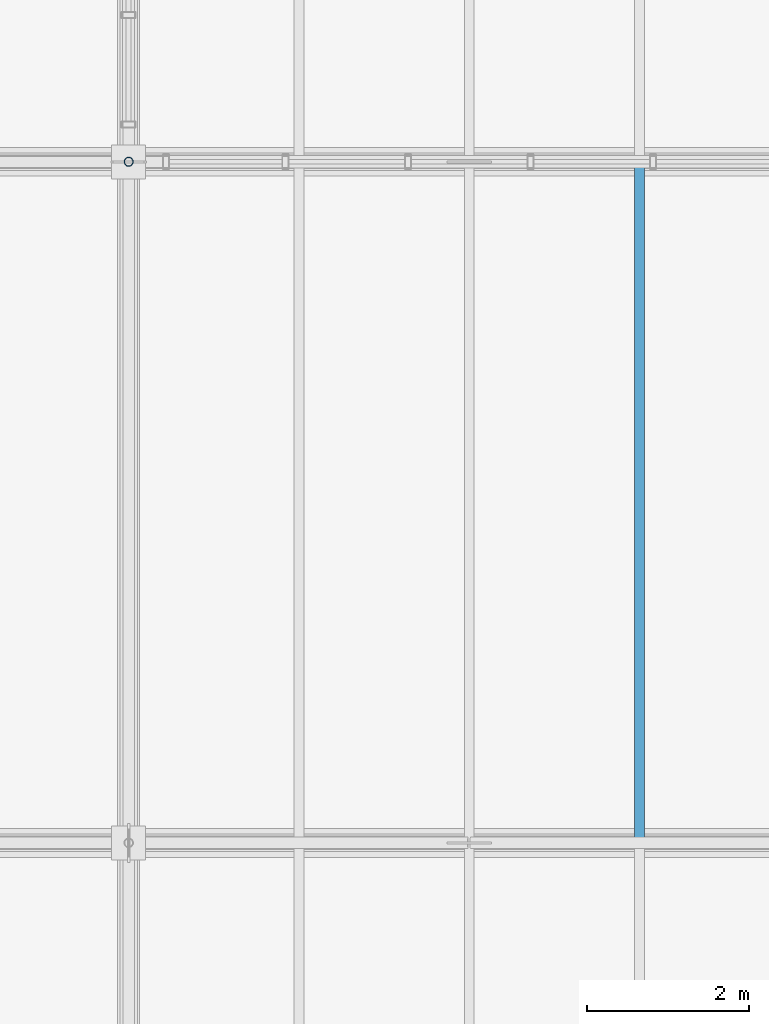
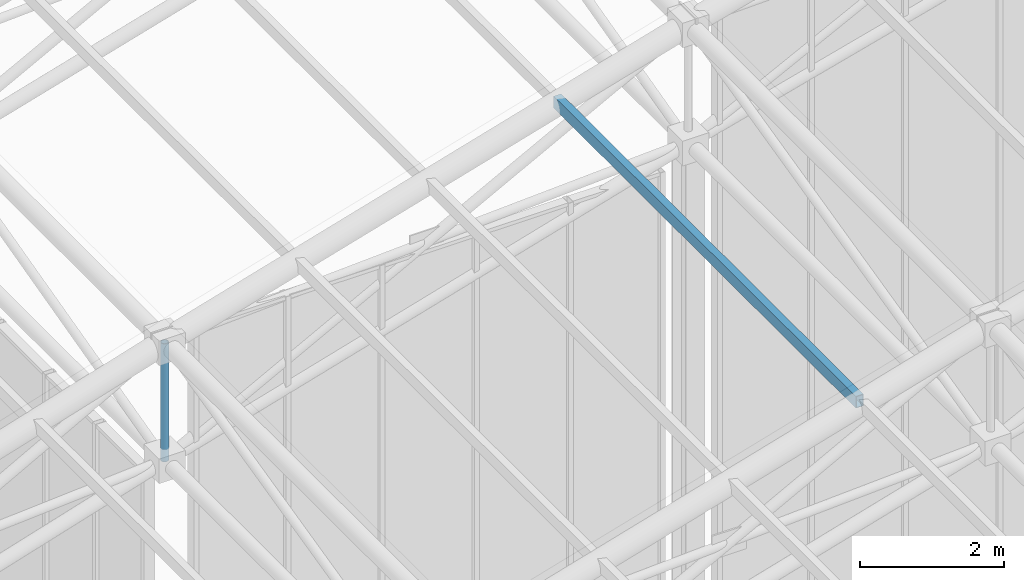
# One storey, part 66 of 144: 2 members.
"""IFC4 building model written with IfcOpenShell, lengths in metres."""

from ifc_helpers import new_model, si_unit, direction, frame, origin, origin_2d, place, context, subcontext, project, spatial, hollow_rectangle, hollow_circle, extrude, material, material_profile, profile_set, type_object, element, save


model = new_model("IFC4")

# Units and contexts
model_context = context("Model", 3, precision=1e-05, world=origin(), true_north=direction((0.0, 1.0)))
body_context = subcontext(model_context, "Body", "Model", "MODEL_VIEW")
ifc_project = project(units=[si_unit("LENGTHUNIT", "METRE"), si_unit("AREAUNIT", "SQUARE_METRE"), si_unit("VOLUMEUNIT", "CUBIC_METRE"), si_unit("PLANEANGLEUNIT", "RADIAN"), si_unit("MASSUNIT", "GRAM", prefix="KILO")], contexts=[model_context])

# Site, building, storey
site_placement = place(None, origin())
site = spatial("IfcSite", under=ifc_project, at=site_placement, CompositionType="ELEMENT")
building_placement = place(site_placement, origin())
building = spatial("IfcBuilding", under=site, at=building_placement, Name="Zayran Congress Hotel", CompositionType="ELEMENT")
storey_placement = place(building_placement, frame((0.0, 0.0, 19.199951171875)))
storey = spatial("IfcBuildingStorey", under=building, at=storey_placement, Name="L04", CompositionType="ELEMENT", Elevation=19.199951171875)

# Members
ifc_material = material(Name="Steel S355", Category="steel")
ifc_material_profile_1 = material_profile(ifc_material, hollow_circle(Radius=0.05712890625, WallThickness=0.00634765625, at=origin_2d()), Name="CHS 114.3x6.3")
ifc_profile_set_1 = profile_set([ifc_material_profile_1], Name="Steel S355")
member_type_1 = type_object("IfcMemberType", Name="TP-SF-DG3", PredefinedType="BRACE", material=ifc_profile_set_1)
member_1_placement = place(storey_placement, frame((33.60009765625, 109.60009765625, 7.900146484375), z_axis=(0.0, 0.0, 1.0), x_axis=(0.0, 1.0, 0.0)))
element("IfcMember", 1, at=member_1_placement, inside=storey, type_object=member_type_1, Name="Space Frame Web Strut 213", PredefinedType="BRACE", context=body_context, shape_type="SweptSolid", body=[
    extrude(hollow_circle(Radius=0.05712890625, WallThickness=0.00634765625, at=origin_2d()), origin(), (0.0, 0.0, 1.0), 2.001953125),
])
ifc_material_profile_2 = material_profile(ifc_material, hollow_rectangle(XDim=0.1201171875, YDim=0.199951171875, WallThickness=0.008056640625, at=origin_2d()), Name="RHS 200x120x8")
ifc_profile_set_2 = profile_set([ifc_material_profile_2], Name="Steel S355")
member_type_2 = type_object("IfcMemberType", Name="TP-PR-01", PredefinedType="PURLIN", material=ifc_profile_set_2)
member_2_placement = place(storey_placement, frame((39.89990234375, 101.199951171875, 11.781494140625), z_axis=(0.0, 1.0, 0.0), x_axis=(-1.0, 0.0, 0.0)))
element("IfcMember", 2, at=member_2_placement, inside=storey, type_object=member_type_2, Name="MEM-PR-V1-0071", PredefinedType="PURLIN", context=body_context, shape_type="SweptSolid", body=[
    extrude(hollow_rectangle(XDim=0.1201171875, YDim=0.199951171875, WallThickness=0.008056640625, at=origin_2d()), origin(), (0.0, 0.0, 1.0), 8.400146484375),
])

save(model, "model.ifc")
